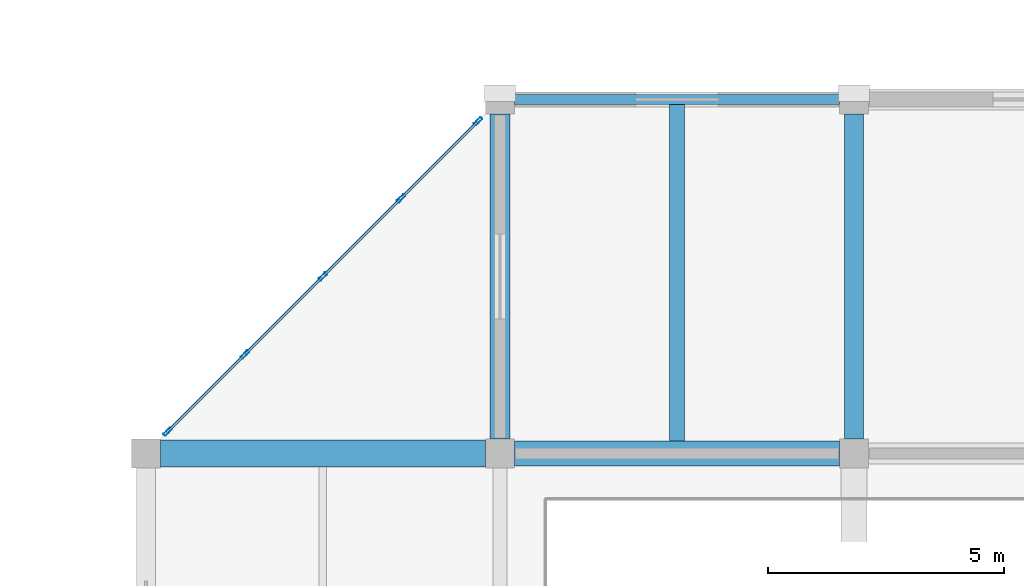
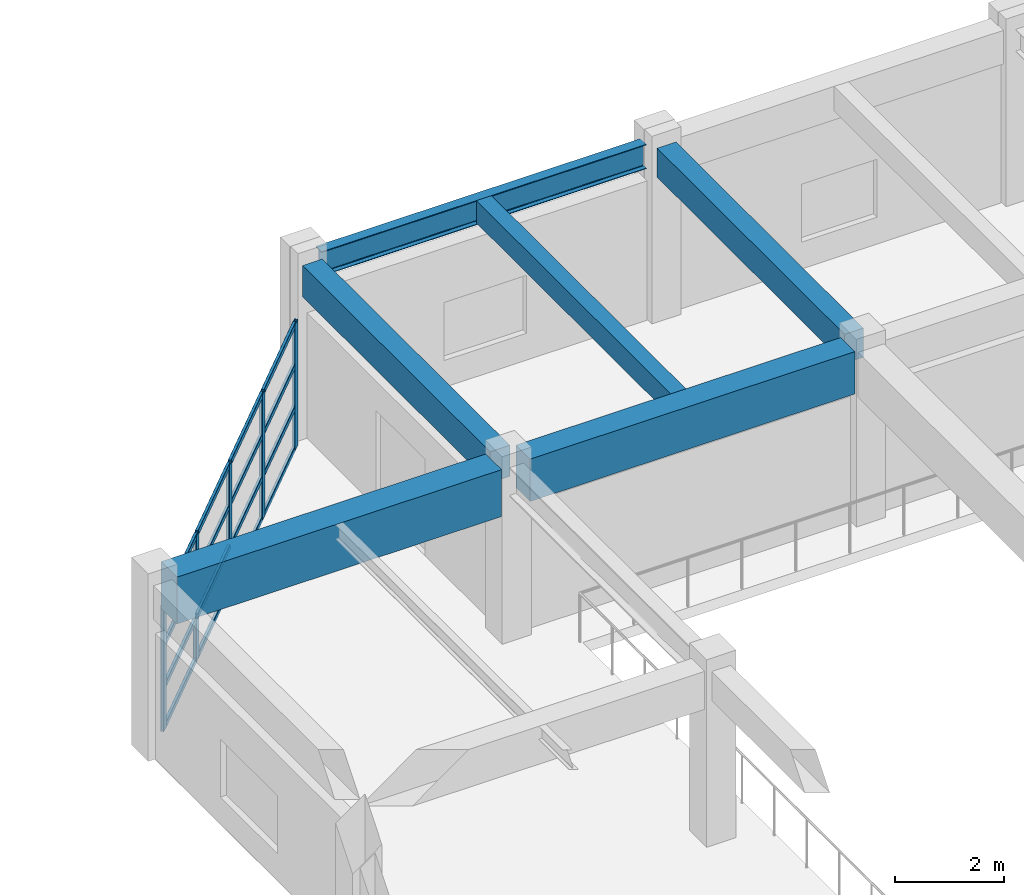
# One storey, part 63 of 124: 21 members, 6 beams, 1 element without a shape of its own.
"""IFC4 building model written with IfcOpenShell, lengths in metres."""

from ifc_helpers import new_model, si_unit, direction, frame, origin, origin_2d, place, context, subcontext, project, spatial, rectangle, hollow_rectangle, i_section, extrude, material, material_profile, profile_set, type_object, element, aggregate, save


model = new_model("IFC4")

# Units and contexts
model_context = context("Model", 3, precision=1e-05, world=origin(), true_north=direction((0.0, 1.0)))
body_context = subcontext(model_context, "Body", "Model", "MODEL_VIEW")
ifc_project = project(units=[si_unit("LENGTHUNIT", "METRE"), si_unit("AREAUNIT", "SQUARE_METRE"), si_unit("VOLUMEUNIT", "CUBIC_METRE"), si_unit("PLANEANGLEUNIT", "RADIAN"), si_unit("MASSUNIT", "GRAM", prefix="KILO")], contexts=[model_context])

# Site, building, storey
site_placement = place(None, origin())
site = spatial("IfcSite", under=ifc_project, at=site_placement, CompositionType="ELEMENT")
building_placement = place(site_placement, origin())
building = spatial("IfcBuilding", under=site, at=building_placement, Name="Qasida Concert Hall", CompositionType="ELEMENT")
storey_placement = place(building_placement, frame((0.0, 0.0, 9.0)))
storey = spatial("IfcBuildingStorey", under=building, at=storey_placement, Name="L02", CompositionType="ELEMENT", Elevation=9.0)

# Beams
ifc_material_1 = material(Name="Concrete C40/50", Category="concrete")
ifc_material_profile_1 = material_profile(ifc_material_1, rectangle(XDim=0.39990234375, YDim=0.64990234375, at=origin_2d()), Name="RC 400x650")
ifc_profile_set_1 = profile_set([ifc_material_profile_1], Name="Concrete C40/50")
beam_type_1 = type_object("IfcBeamType", Name="BM-B1", PredefinedType="BEAM", material=ifc_profile_set_1)
beam_1_placement = place(storey_placement, frame((142.5, 22.81005859375, 3.574951171875), z_axis=(0.0, 1.0, 0.0), x_axis=(-1.0, 0.0, 0.0)))
element("IfcBeam", 1, at=beam_1_placement, inside=storey, type_object=beam_type_1, Name="L02 girder 1249", PredefinedType="BEAM", context=body_context, shape_type="SweptSolid", body=[
    extrude(rectangle(XDim=0.39990234375, YDim=0.64990234375, at=origin_2d()), origin(), (0.0, 0.0, 1.0), 6.8798828125),
])
ifc_material_profile_2 = material_profile(ifc_material_1, rectangle(XDim=0.419921875, YDim=0.699951171875, at=origin_2d()), Name="RC 420x700")
ifc_profile_set_2 = profile_set([ifc_material_profile_2], Name="Concrete C40/50")
beam_type_2 = type_object("IfcBeamType", Name="BM-B11", PredefinedType="BEAM", material=ifc_profile_set_2)
beam_2_placement = place(storey_placement, frame((135.0, 22.81005859375, 3.550048828125), z_axis=(0.0, 1.0, 0.0), x_axis=(-1.0, 0.0, 0.0)))
element("IfcBeam", 2, at=beam_2_placement, inside=storey, type_object=beam_type_2, Name="L02 girder 1246", PredefinedType="BEAM", context=body_context, shape_type="SweptSolid", body=[
    extrude(rectangle(XDim=0.419921875, YDim=0.699951171875, at=origin_2d()), origin(), (0.0, 0.0, 1.0), 6.8798828125),
])
ifc_material_profile_3 = material_profile(ifc_material_1, rectangle(XDim=0.52001953125, YDim=0.949951171875, at=origin_2d()), Name="RC 520x950")
ifc_profile_set_3 = profile_set([ifc_material_profile_3], Name="Concrete C40/50")
beam_type_3 = type_object("IfcBeamType", Name="BM-G7", PredefinedType="USERDEFINED", material=ifc_profile_set_3)
beam_3_placement = place(storey_placement, frame((135.31005859375, 22.5, 3.425048828125), z_axis=(1.0, 0.0, 0.0), x_axis=(0.0, 1.0, 0.0)))
element("IfcBeam", 3, at=beam_3_placement, inside=storey, type_object=beam_type_3, Name="Primary girder 1234", ObjectType="GIRDER", PredefinedType="USERDEFINED", context=body_context, shape_type="SweptSolid", body=[
    extrude(rectangle(XDim=0.52001953125, YDim=0.949951171875, at=origin_2d()), origin(), (0.0, 0.0, 1.0), 6.8798828125),
])
ifc_material_2 = material(Name="Concrete C50/60", Category="concrete")
ifc_material_profile_4 = material_profile(ifc_material_2, rectangle(XDim=0.580078125, YDim=1.050048828125, at=origin_2d()), Name="RC 580x1050")
ifc_profile_set_4 = profile_set([ifc_material_profile_4], Name="Concrete C50/60")
beam_type_4 = type_object("IfcBeamType", Name="BM-G8", PredefinedType="USERDEFINED", material=ifc_profile_set_4)
beam_4_placement = place(storey_placement, frame((127.81005859375, 22.5, 3.375), z_axis=(1.0, 0.0, 0.0), x_axis=(0.0, 1.0, 0.0)))
element("IfcBeam", 4, at=beam_4_placement, inside=storey, type_object=beam_type_4, Name="Primary girder 1233", ObjectType="GIRDER", PredefinedType="USERDEFINED", context=body_context, shape_type="SweptSolid", body=[
    extrude(rectangle(XDim=0.580078125, YDim=1.050048828125, at=origin_2d()), origin(), (0.0, 0.0, 1.0), 6.8798828125),
])
ifc_material_profile_5 = material_profile(ifc_material_1, rectangle(XDim=0.320068359375, YDim=0.5, at=origin_2d()), Name="RC 320x500")
ifc_profile_set_5 = profile_set([ifc_material_profile_5], Name="Concrete C40/50")
beam_type_5 = type_object("IfcBeamType", Name="BM-J7", PredefinedType="JOIST", material=ifc_profile_set_5)
beam_5_placement = place(storey_placement, frame((138.75, 22.760009765625, 3.64990234375), z_axis=(0.0, 1.0, 0.0), x_axis=(-1.0, 0.0, 0.0)))
element("IfcBeam", 5, at=beam_5_placement, inside=storey, type_object=beam_type_5, Name="L02 secondary joist 1262", PredefinedType="JOIST", context=body_context, shape_type="SweptSolid", body=[
    extrude(rectangle(XDim=0.320068359375, YDim=0.5, at=origin_2d()), origin(), (0.0, 0.0, 1.0), 7.135009765625),
])
ifc_material_3 = material(Name="Steel S355J2", Category="steel")
ifc_material_profile_6 = material_profile(ifc_material_3, i_section(OverallWidth=0.2099609375, OverallDepth=0.550048828125, WebThickness=0.010986328125, FlangeThickness=0.01708984375, FilletRadius=0.02392578125, at=origin_2d()), Name="IPE 550")
ifc_profile_set_6 = profile_set([ifc_material_profile_6], Name="Steel S355J2")
beam_type_6 = type_object("IfcBeamType", Name="BM-SP2", PredefinedType="SPANDREL", material=ifc_profile_set_6)
beam_6_placement = place(storey_placement, frame((135.31005859375, 30.0, 3.625), z_axis=(1.0, 0.0, 0.0), x_axis=(0.0, 1.0, 0.0)))
element("IfcBeam", 6, at=beam_6_placement, inside=storey, type_object=beam_type_6, Name="Primary girder 1238", PredefinedType="SPANDREL", context=body_context, shape_type="SweptSolid", body=[
    extrude(i_section(OverallWidth=0.2099609375, OverallDepth=0.550048828125, WebThickness=0.010986328125, FlangeThickness=0.01708984375, FilletRadius=0.02392578125, at=origin_2d()), origin(), (0.0, 0.0, 1.0), 6.8798828125),
])

# Curtain wall, members
ifc_material_4 = material(Name="Architectural bronze-anodized aluminium and low-E glass", Category="aluminium")
curtain_wall_type = type_object("IfcCurtainWallType", Name="CW-07", PredefinedType="NOTDEFINED", material=ifc_material_4)
curtain_wall_placement = place(storey_placement, origin())
curtain_wall = element("IfcCurtainWall", 7, at=curtain_wall_placement, inside=storey, type_object=curtain_wall_type, Name="L02 curtain wall CW-07 0149", PredefinedType="NOTDEFINED")
ifc_material_5 = material(Name="Architectural bronze-anodized aluminium EN AW-6063", Category="aluminium")
ifc_material_profile_7 = material_profile(ifc_material_5, hollow_rectangle(XDim=0.06494140625, YDim=0.199951171875, WallThickness=0.0048828125, InnerFilletRadius=0.0048828125, OuterFilletRadius=0.010009765625, at=origin_2d()), Name="CWM 200x65x5")
ifc_profile_set_7 = profile_set([ifc_material_profile_7], Name="Architectural bronze-anodized aluminium EN AW-6063")
member_type_1 = type_object("IfcMemberType", Name="MB-CWM-2", PredefinedType="MULLION", material=ifc_profile_set_7)
member_1_placement = place(storey_placement, frame((134.53857421875, 29.53857421875, 0.0), z_axis=(0.0, 0.0, 1.0), x_axis=(0.707106781187, -0.707106781187, 0.0)))
member_1 = element("IfcMember", 8, at=member_1_placement, type_object=member_type_1, Name="CW-07 mullion 1", PredefinedType="MULLION", context=body_context, shape_type="SweptSolid", body=[
    extrude(hollow_rectangle(XDim=0.06494140625, YDim=0.199951171875, WallThickness=0.0048828125, InnerFilletRadius=0.0048828125, OuterFilletRadius=0.010009765625, at=origin_2d()), origin(), (0.0, 0.0, 1.0), 2.820068359375),
])
member_2_placement = place(storey_placement, frame((132.90576171875, 27.90576171875, 0.0), z_axis=(0.0, 0.0, 1.0), x_axis=(0.707106781187, -0.707106781187, 0.0)))
member_2 = element("IfcMember", 9, at=member_2_placement, type_object=member_type_1, Name="CW-07 mullion 2", PredefinedType="MULLION", context=body_context, shape_type="SweptSolid", body=[
    extrude(hollow_rectangle(XDim=0.06494140625, YDim=0.199951171875, WallThickness=0.0048828125, InnerFilletRadius=0.0048828125, OuterFilletRadius=0.010009765625, at=origin_2d()), origin(), (0.0, 0.0, 1.0), 2.820068359375),
])
member_3_placement = place(storey_placement, frame((131.25, 26.25, 0.0), z_axis=(0.0, 0.0, 1.0), x_axis=(0.707106781187, -0.707106781187, 0.0)))
member_3 = element("IfcMember", 10, at=member_3_placement, type_object=member_type_1, Name="CW-07 mullion 3", PredefinedType="MULLION", context=body_context, shape_type="SweptSolid", body=[
    extrude(hollow_rectangle(XDim=0.06494140625, YDim=0.199951171875, WallThickness=0.0048828125, InnerFilletRadius=0.0048828125, OuterFilletRadius=0.010009765625, at=origin_2d()), origin(), (0.0, 0.0, 1.0), 2.820068359375),
])
member_4_placement = place(storey_placement, frame((129.59423828125, 24.59423828125, 0.0), z_axis=(0.0, 0.0, 1.0), x_axis=(0.707106781187, -0.707106781187, 0.0)))
member_4 = element("IfcMember", 11, at=member_4_placement, type_object=member_type_1, Name="CW-07 mullion 4", PredefinedType="MULLION", context=body_context, shape_type="SweptSolid", body=[
    extrude(hollow_rectangle(XDim=0.06494140625, YDim=0.199951171875, WallThickness=0.0048828125, InnerFilletRadius=0.0048828125, OuterFilletRadius=0.010009765625, at=origin_2d()), origin(), (0.0, 0.0, 1.0), 2.820068359375),
])
member_5_placement = place(storey_placement, frame((127.96142578125, 22.96142578125, 0.0), z_axis=(0.0, 0.0, 1.0), x_axis=(0.707106781187, -0.707106781187, 0.0)))
member_5 = element("IfcMember", 12, at=member_5_placement, type_object=member_type_1, Name="CW-07 mullion 5", PredefinedType="MULLION", context=body_context, shape_type="SweptSolid", body=[
    extrude(hollow_rectangle(XDim=0.06494140625, YDim=0.199951171875, WallThickness=0.0048828125, InnerFilletRadius=0.0048828125, OuterFilletRadius=0.010009765625, at=origin_2d()), origin(), (0.0, 0.0, 1.0), 2.820068359375),
])
ifc_material_profile_8 = material_profile(ifc_material_5, hollow_rectangle(XDim=0.06005859375, YDim=0.1201171875, WallThickness=0.00390625, InnerFilletRadius=0.00390625, OuterFilletRadius=0.008056640625, at=origin_2d()), Name="CWT 120x60x4")
ifc_profile_set_8 = profile_set([ifc_material_profile_8], Name="Architectural bronze-anodized aluminium EN AW-6063")
member_type_2 = type_object("IfcMemberType", Name="MB-CWT-2", PredefinedType="USERDEFINED", material=ifc_profile_set_8)
member_6_placement = place(storey_placement, frame((134.515625, 29.515625, 0.030029296875), z_axis=(-0.707106781187, -0.707106781187, 0.0), x_axis=(0.707106781187, -0.707106781187, 0.0)))
member_6 = element("IfcMember", 13, at=member_6_placement, type_object=member_type_2, Name="CW-07 transom 1.1", ObjectType="TRANSOM", PredefinedType="USERDEFINED", context=body_context, shape_type="SweptSolid", body=[
    extrude(hollow_rectangle(XDim=0.06005859375, YDim=0.1201171875, WallThickness=0.00390625, InnerFilletRadius=0.00390625, OuterFilletRadius=0.008056640625, at=origin_2d()), origin(), (0.0, 0.0, 1.0), 2.244140625),
])
member_7_placement = place(storey_placement, frame((134.515625, 29.515625, 0.93994140625), z_axis=(-0.707106781187, -0.707106781187, 0.0), x_axis=(0.707106781187, -0.707106781187, 0.0)))
member_7 = element("IfcMember", 14, at=member_7_placement, type_object=member_type_2, Name="CW-07 transom 1.2", ObjectType="TRANSOM", PredefinedType="USERDEFINED", context=body_context, shape_type="SweptSolid", body=[
    extrude(hollow_rectangle(XDim=0.06005859375, YDim=0.1201171875, WallThickness=0.00390625, InnerFilletRadius=0.00390625, OuterFilletRadius=0.008056640625, at=origin_2d()), origin(), (0.0, 0.0, 1.0), 2.244140625),
])
member_8_placement = place(storey_placement, frame((134.515625, 29.515625, 1.8798828125), z_axis=(-0.707106781187, -0.707106781187, 0.0), x_axis=(0.707106781187, -0.707106781187, 0.0)))
member_8 = element("IfcMember", 15, at=member_8_placement, type_object=member_type_2, Name="CW-07 transom 1.3", ObjectType="TRANSOM", PredefinedType="USERDEFINED", context=body_context, shape_type="SweptSolid", body=[
    extrude(hollow_rectangle(XDim=0.06005859375, YDim=0.1201171875, WallThickness=0.00390625, InnerFilletRadius=0.00390625, OuterFilletRadius=0.008056640625, at=origin_2d()), origin(), (0.0, 0.0, 1.0), 2.244140625),
])
member_9_placement = place(storey_placement, frame((134.515625, 29.515625, 2.7900390625), z_axis=(-0.707106781187, -0.707106781187, 0.0), x_axis=(0.707106781187, -0.707106781187, 0.0)))
member_9 = element("IfcMember", 16, at=member_9_placement, type_object=member_type_2, Name="CW-07 transom 1.4", ObjectType="TRANSOM", PredefinedType="USERDEFINED", context=body_context, shape_type="SweptSolid", body=[
    extrude(hollow_rectangle(XDim=0.06005859375, YDim=0.1201171875, WallThickness=0.00390625, InnerFilletRadius=0.00390625, OuterFilletRadius=0.008056640625, at=origin_2d()), origin(), (0.0, 0.0, 1.0), 2.244140625),
])
member_10_placement = place(storey_placement, frame((132.8828125, 27.8828125, 0.030029296875), z_axis=(-0.707106781187, -0.707106781187, 0.0), x_axis=(0.707106781187, -0.707106781187, 0.0)))
member_10 = element("IfcMember", 17, at=member_10_placement, type_object=member_type_2, Name="CW-07 transom 2.1", ObjectType="TRANSOM", PredefinedType="USERDEFINED", context=body_context, shape_type="SweptSolid", body=[
    extrude(hollow_rectangle(XDim=0.06005859375, YDim=0.1201171875, WallThickness=0.00390625, InnerFilletRadius=0.00390625, OuterFilletRadius=0.008056640625, at=origin_2d()), origin(), (0.0, 0.0, 1.0), 2.276611328125),
])
member_11_placement = place(storey_placement, frame((132.8828125, 27.8828125, 0.93994140625), z_axis=(-0.707106781187, -0.707106781187, 0.0), x_axis=(0.707106781187, -0.707106781187, 0.0)))
member_11 = element("IfcMember", 18, at=member_11_placement, type_object=member_type_2, Name="CW-07 transom 2.2", ObjectType="TRANSOM", PredefinedType="USERDEFINED", context=body_context, shape_type="SweptSolid", body=[
    extrude(hollow_rectangle(XDim=0.06005859375, YDim=0.1201171875, WallThickness=0.00390625, InnerFilletRadius=0.00390625, OuterFilletRadius=0.008056640625, at=origin_2d()), origin(), (0.0, 0.0, 1.0), 2.276611328125),
])
member_12_placement = place(storey_placement, frame((132.8828125, 27.8828125, 1.8798828125), z_axis=(-0.707106781187, -0.707106781187, 0.0), x_axis=(0.707106781187, -0.707106781187, 0.0)))
member_12 = element("IfcMember", 19, at=member_12_placement, type_object=member_type_2, Name="CW-07 transom 2.3", ObjectType="TRANSOM", PredefinedType="USERDEFINED", context=body_context, shape_type="SweptSolid", body=[
    extrude(hollow_rectangle(XDim=0.06005859375, YDim=0.1201171875, WallThickness=0.00390625, InnerFilletRadius=0.00390625, OuterFilletRadius=0.008056640625, at=origin_2d()), origin(), (0.0, 0.0, 1.0), 2.276611328125),
])
member_13_placement = place(storey_placement, frame((132.8828125, 27.8828125, 2.7900390625), z_axis=(-0.707106781187, -0.707106781187, 0.0), x_axis=(0.707106781187, -0.707106781187, 0.0)))
member_13 = element("IfcMember", 20, at=member_13_placement, type_object=member_type_2, Name="CW-07 transom 2.4", ObjectType="TRANSOM", PredefinedType="USERDEFINED", context=body_context, shape_type="SweptSolid", body=[
    extrude(hollow_rectangle(XDim=0.06005859375, YDim=0.1201171875, WallThickness=0.00390625, InnerFilletRadius=0.00390625, OuterFilletRadius=0.008056640625, at=origin_2d()), origin(), (0.0, 0.0, 1.0), 2.276611328125),
])
member_14_placement = place(storey_placement, frame((131.22705078125, 26.22705078125, 0.030029296875), z_axis=(-0.707106781187, -0.707106781187, 0.0), x_axis=(0.707106781187, -0.707106781187, 0.0)))
member_14 = element("IfcMember", 21, at=member_14_placement, type_object=member_type_2, Name="CW-07 transom 3.1", ObjectType="TRANSOM", PredefinedType="USERDEFINED", context=body_context, shape_type="SweptSolid", body=[
    extrude(hollow_rectangle(XDim=0.06005859375, YDim=0.1201171875, WallThickness=0.00390625, InnerFilletRadius=0.00390625, OuterFilletRadius=0.008056640625, at=origin_2d()), origin(), (0.0, 0.0, 1.0), 2.276611328125),
])
member_15_placement = place(storey_placement, frame((131.22705078125, 26.22705078125, 0.93994140625), z_axis=(-0.707106781187, -0.707106781187, 0.0), x_axis=(0.707106781187, -0.707106781187, 0.0)))
member_15 = element("IfcMember", 22, at=member_15_placement, type_object=member_type_2, Name="CW-07 transom 3.2", ObjectType="TRANSOM", PredefinedType="USERDEFINED", context=body_context, shape_type="SweptSolid", body=[
    extrude(hollow_rectangle(XDim=0.06005859375, YDim=0.1201171875, WallThickness=0.00390625, InnerFilletRadius=0.00390625, OuterFilletRadius=0.008056640625, at=origin_2d()), origin(), (0.0, 0.0, 1.0), 2.276611328125),
])
member_16_placement = place(storey_placement, frame((131.22705078125, 26.22705078125, 1.8798828125), z_axis=(-0.707106781187, -0.707106781187, 0.0), x_axis=(0.707106781187, -0.707106781187, 0.0)))
member_16 = element("IfcMember", 23, at=member_16_placement, type_object=member_type_2, Name="CW-07 transom 3.3", ObjectType="TRANSOM", PredefinedType="USERDEFINED", context=body_context, shape_type="SweptSolid", body=[
    extrude(hollow_rectangle(XDim=0.06005859375, YDim=0.1201171875, WallThickness=0.00390625, InnerFilletRadius=0.00390625, OuterFilletRadius=0.008056640625, at=origin_2d()), origin(), (0.0, 0.0, 1.0), 2.276611328125),
])
member_17_placement = place(storey_placement, frame((131.22705078125, 26.22705078125, 2.7900390625), z_axis=(-0.707106781187, -0.707106781187, 0.0), x_axis=(0.707106781187, -0.707106781187, 0.0)))
member_17 = element("IfcMember", 24, at=member_17_placement, type_object=member_type_2, Name="CW-07 transom 3.4", ObjectType="TRANSOM", PredefinedType="USERDEFINED", context=body_context, shape_type="SweptSolid", body=[
    extrude(hollow_rectangle(XDim=0.06005859375, YDim=0.1201171875, WallThickness=0.00390625, InnerFilletRadius=0.00390625, OuterFilletRadius=0.008056640625, at=origin_2d()), origin(), (0.0, 0.0, 1.0), 2.276611328125),
])
member_18_placement = place(storey_placement, frame((129.5712890625, 24.5712890625, 0.030029296875), z_axis=(-0.707106781187, -0.707106781187, 0.0), x_axis=(0.707106781187, -0.707106781187, 0.0)))
member_18 = element("IfcMember", 25, at=member_18_placement, type_object=member_type_2, Name="CW-07 transom 4.1", ObjectType="TRANSOM", PredefinedType="USERDEFINED", context=body_context, shape_type="SweptSolid", body=[
    extrude(hollow_rectangle(XDim=0.06005859375, YDim=0.1201171875, WallThickness=0.00390625, InnerFilletRadius=0.00390625, OuterFilletRadius=0.008056640625, at=origin_2d()), origin(), (0.0, 0.0, 1.0), 2.244140625),
])
member_19_placement = place(storey_placement, frame((129.5712890625, 24.5712890625, 0.93994140625), z_axis=(-0.707106781187, -0.707106781187, 0.0), x_axis=(0.707106781187, -0.707106781187, 0.0)))
member_19 = element("IfcMember", 26, at=member_19_placement, type_object=member_type_2, Name="CW-07 transom 4.2", ObjectType="TRANSOM", PredefinedType="USERDEFINED", context=body_context, shape_type="SweptSolid", body=[
    extrude(hollow_rectangle(XDim=0.06005859375, YDim=0.1201171875, WallThickness=0.00390625, InnerFilletRadius=0.00390625, OuterFilletRadius=0.008056640625, at=origin_2d()), origin(), (0.0, 0.0, 1.0), 2.244140625),
])
member_20_placement = place(storey_placement, frame((129.5712890625, 24.5712890625, 1.8798828125), z_axis=(-0.707106781187, -0.707106781187, 0.0), x_axis=(0.707106781187, -0.707106781187, 0.0)))
member_20 = element("IfcMember", 27, at=member_20_placement, type_object=member_type_2, Name="CW-07 transom 4.3", ObjectType="TRANSOM", PredefinedType="USERDEFINED", context=body_context, shape_type="SweptSolid", body=[
    extrude(hollow_rectangle(XDim=0.06005859375, YDim=0.1201171875, WallThickness=0.00390625, InnerFilletRadius=0.00390625, OuterFilletRadius=0.008056640625, at=origin_2d()), origin(), (0.0, 0.0, 1.0), 2.244140625),
])
member_21_placement = place(storey_placement, frame((129.5712890625, 24.5712890625, 2.7900390625), z_axis=(-0.707106781187, -0.707106781187, 0.0), x_axis=(0.707106781187, -0.707106781187, 0.0)))
member_21 = element("IfcMember", 28, at=member_21_placement, type_object=member_type_2, Name="CW-07 transom 4.4", ObjectType="TRANSOM", PredefinedType="USERDEFINED", context=body_context, shape_type="SweptSolid", body=[
    extrude(hollow_rectangle(XDim=0.06005859375, YDim=0.1201171875, WallThickness=0.00390625, InnerFilletRadius=0.00390625, OuterFilletRadius=0.008056640625, at=origin_2d()), origin(), (0.0, 0.0, 1.0), 2.244140625),
])
aggregate(curtain_wall, [member_1, member_2, member_3, member_4, member_5, member_6, member_7, member_8, member_9, member_10, member_11, member_12, member_13, member_14, member_15, member_16, member_17, member_18, member_19, member_20, member_21])

save(model, "model.ifc")
